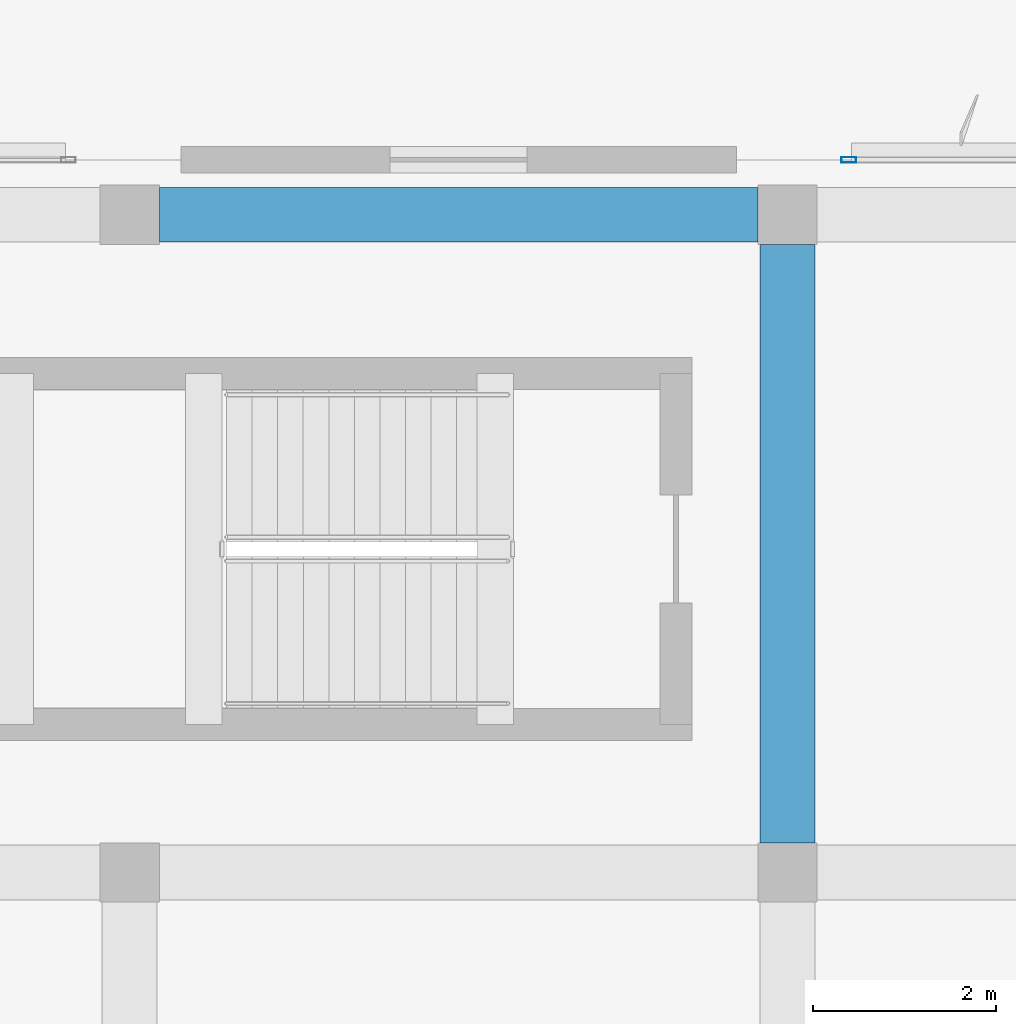
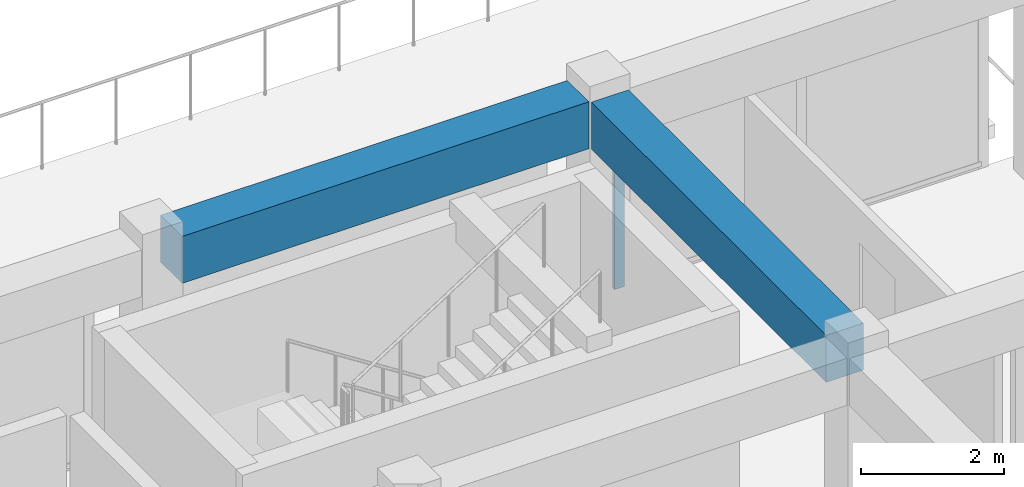
# One storey, part 22 of 42: 2 beams, 1 member, 1 element without a shape of its own.
"""IFC4 building model written with IfcOpenShell, lengths in metres."""

from ifc_helpers import new_model, si_unit, direction, frame, origin, origin_2d, place, context, subcontext, project, spatial, rectangle, hollow_rectangle, extrude, material, material_profile, profile_set, type_object, element, aggregate, save


model = new_model("IFC4")

# Units and contexts
model_context = context("Model", 3, precision=1e-05, world=origin(), true_north=direction((0.0, 1.0)))
body_context = subcontext(model_context, "Body", "Model", "MODEL_VIEW")
ifc_project = project(units=[si_unit("LENGTHUNIT", "METRE"), si_unit("AREAUNIT", "SQUARE_METRE"), si_unit("VOLUMEUNIT", "CUBIC_METRE"), si_unit("PLANEANGLEUNIT", "RADIAN"), si_unit("MASSUNIT", "GRAM", prefix="KILO")], contexts=[model_context])

# Site, building, storey
site_placement = place(None, origin())
site = spatial("IfcSite", under=ifc_project, at=site_placement, CompositionType="ELEMENT")
building_placement = place(site_placement, origin())
building = spatial("IfcBuilding", under=site, at=building_placement, Name="Kazehaya Institute of Natural Sciences", CompositionType="ELEMENT")
storey_placement = place(building_placement, frame((0.0, 0.0, 37.6201171875)))
storey = spatial("IfcBuildingStorey", under=building, at=storey_placement, Name="L08", CompositionType="ELEMENT", Elevation=37.6201171875)

# Beams
ifc_material_1 = material(Name="Concrete Fc36", Category="concrete")
ifc_material_profile_1 = material_profile(ifc_material_1, rectangle(XDim=0.60009765625, YDim=0.800048828125, at=origin_2d()), Name="RC-600x800")
ifc_profile_set_1 = profile_set([ifc_material_profile_1], Name="Concrete Fc36")
beam_type = type_object("IfcBeamType", Name="BM-G-600x800", PredefinedType="BEAM", material=ifc_profile_set_1)
for number, where, z_axis, x_axis, name in (
    (1, (105.324951171875, 28.39990234375, 3.64990234375), (1.0, 0.0, 0.0), (0.0, 1.0, 0.0), "L08 primary X girder BMX-L08-1050-284"),
    (2, (112.199951171875, 21.52490234375, 3.64990234375), (0.0, 1.0, 0.0), (-1.0, 0.0, 0.0), "L08 primary Y girder BMY-L08-1122-212"),
):
    element("IfcBeam", number, at=place(storey_placement, frame(where, z_axis=z_axis, x_axis=x_axis)), inside=storey, type_object=beam_type, Name=name, PredefinedType="BEAM", context=body_context, shape_type="SweptSolid", body=[
        extrude(rectangle(XDim=0.60009765625, YDim=0.800048828125, at=origin_2d()), origin(), (0.0, 0.0, 1.0), 6.550048828125),
    ])

# Curtain wall, member
ifc_material_2 = material(Name="Aluminium alloy A6063S-T5", Category="aluminium")
curtain_wall_type = type_object("IfcCurtainWallType", Name="CW-SYS-05", PredefinedType="NOTDEFINED", material=ifc_material_2)
curtain_wall_placement = place(storey_placement, origin())
curtain_wall = element("IfcCurtainWall", 3, at=curtain_wall_placement, inside=storey, type_object=curtain_wall_type, Name="L08 unitised curtain wall CW-L08-192", PredefinedType="NOTDEFINED")
ifc_material_profile_2 = material_profile(ifc_material_2, hollow_rectangle(XDim=0.06005859375, YDim=0.159912109375, WallThickness=0.00390625, at=origin_2d()), Name="ALU-60x160x4")
ifc_profile_set_2 = profile_set([ifc_material_profile_2], Name="Aluminium alloy A6063S-T5")
member_type = type_object("IfcMemberType", Name="CWM-160", PredefinedType="MULLION", material=ifc_profile_set_2)
member_placement = place(storey_placement, frame((112.8701171875, 29.0, 0.0), z_axis=(0.0, 0.0, 1.0), x_axis=(0.0, 1.0, 0.0)))
member = element("IfcMember", 4, at=member_placement, type_object=member_type, Name="CW05 mullion 1", PredefinedType="MULLION", context=body_context, shape_type="SweptSolid", body=[
    extrude(hollow_rectangle(XDim=0.06005859375, YDim=0.159912109375, WallThickness=0.00390625, at=origin_2d()), origin(), (0.0, 0.0, 1.0), 2.81982421875),
])
aggregate(curtain_wall, [member])

save(model, "model.ifc")
